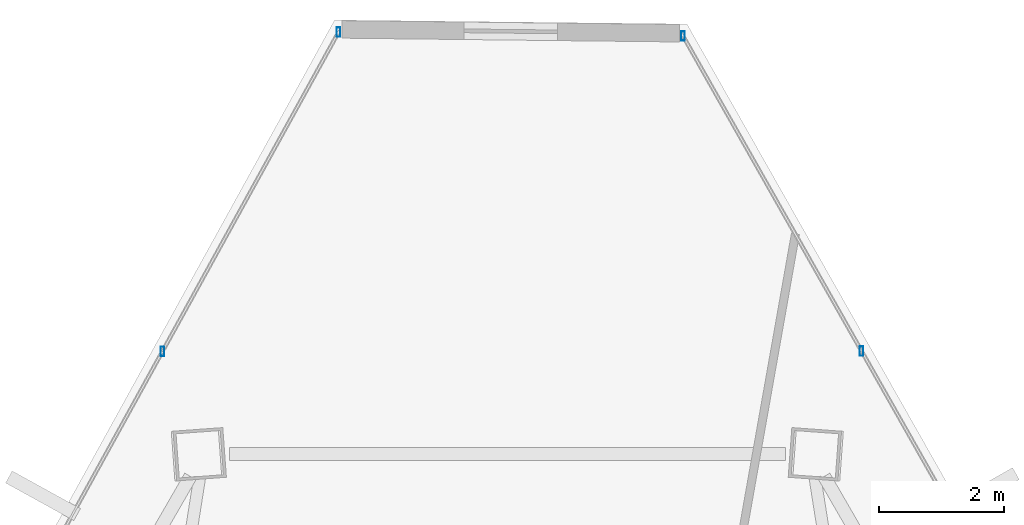
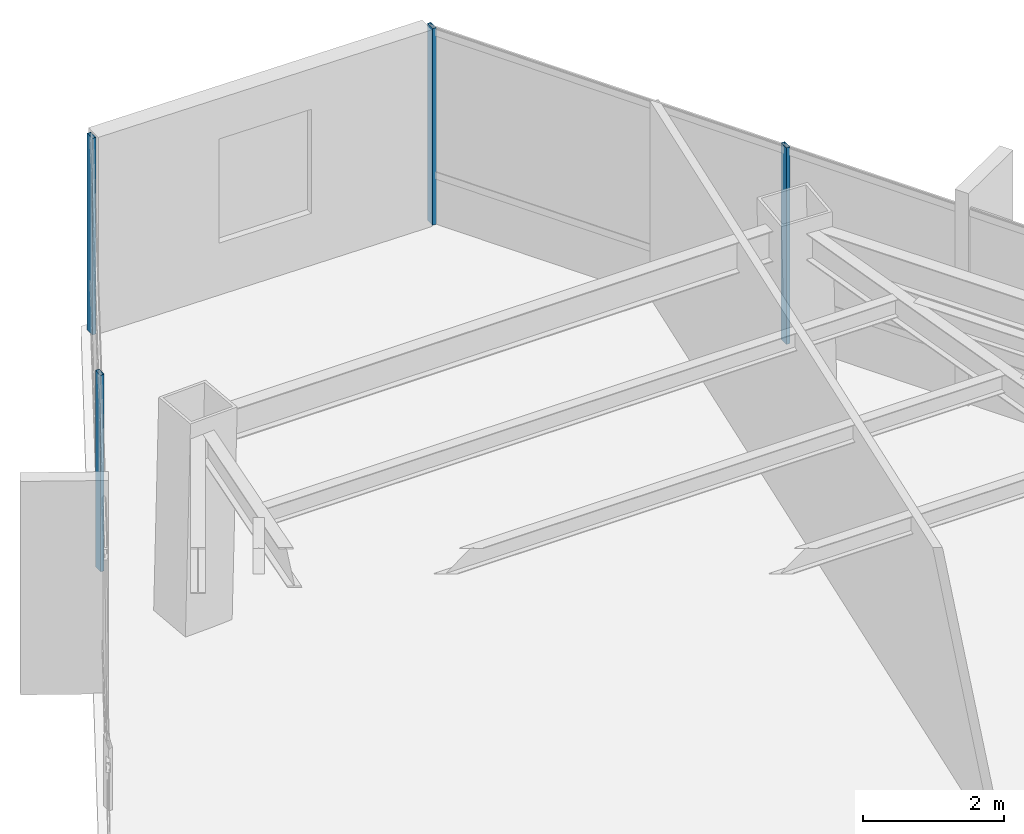
# One storey, part 31 of 41: 4 members, 2 elements without a shape of their own.
"""IFC4 building model written with IfcOpenShell, lengths in metres."""

from ifc_helpers import new_model, si_unit, direction, frame, origin, origin_2d, place, context, subcontext, project, spatial, hollow_rectangle, extrude, source, transform, mapped, material, material_profile, profile_set, type_object, type_shapes, element, aggregate, save


model = new_model("IFC4")

# Units and contexts
model_context = context("Model", 3, precision=1e-05, world=origin(), true_north=direction((0.0, 1.0)))
body_context = subcontext(model_context, "Body", "Model", "MODEL_VIEW")
ifc_project = project(units=[si_unit("LENGTHUNIT", "METRE"), si_unit("AREAUNIT", "SQUARE_METRE"), si_unit("VOLUMEUNIT", "CUBIC_METRE"), si_unit("PLANEANGLEUNIT", "RADIAN"), si_unit("MASSUNIT", "GRAM", prefix="KILO")], contexts=[model_context])

# Site, building, storey
site_placement = place(None, origin())
site = spatial("IfcSite", under=ifc_project, at=site_placement, CompositionType="ELEMENT")
building_placement = place(site_placement, origin())
building = spatial("IfcBuilding", under=site, at=building_placement, Name="Caelisora Broadcast Tower", CompositionType="ELEMENT")
storey_placement = place(building_placement, frame((0.0, 0.0, 209.60009765625)))
storey = spatial("IfcBuildingStorey", under=building, at=storey_placement, Name="L55", CompositionType="ELEMENT", Elevation=209.60009765625)

# Curtain wall, members
ifc_material_1 = material(Name="Unitised Aluminium and Low-E Glass Curtain Wall", Category="glass")
curtain_wall_type = type_object("IfcCurtainWallType", Name="CW-Z4", PredefinedType="NOTDEFINED", material=ifc_material_1)
curtain_wall_1_placement = place(storey_placement, origin())
curtain_wall_1 = element("IfcCurtainWall", 1, at=curtain_wall_1_placement, inside=storey, type_object=curtain_wall_type, Name="L55 curtain wall CW-Z4", PredefinedType="NOTDEFINED")
ifc_material_2 = material(Name="Aluminium 6063-T6 Anodised Terracotta Bronze", Category="aluminium")
ifc_material_profile = material_profile(ifc_material_2, hollow_rectangle(XDim=0.06005859375, YDim=0.14990234375, WallThickness=0.00341796875, at=origin_2d()), Name="Aluminium 6063-T6 Anodised Terracotta Bronze")
ifc_profile_set = profile_set([ifc_material_profile], Name="Aluminium 6063-T6 Anodised Terracotta Bronze")
member_type = type_object("IfcMemberType", Name="CWM-03", PredefinedType="MULLION", material=ifc_profile_set)
shared_shape = source(origin(), body_context, "Body", "SweptSolid", [
    extrude(hollow_rectangle(XDim=0.06005859375, YDim=0.14990234375, WallThickness=0.00341796875, at=origin_2d()), origin(), (0.0, 0.0, 1.0), 3.39990234375),
])
type_shapes(member_type, [shared_shape])
member_1_placement = place(storey_placement, frame((40.819580078125, 53.305419921875, 0.0), z_axis=(0.0, 0.0, 1.0), x_axis=(1.0, 0.0, 0.0)))
member_1 = element("IfcMember", 2, at=member_1_placement, type_object=member_type, Name="L55-CW-B01 mullion #0", PredefinedType="MULLION", context=body_context, shape_type="MappedRepresentation", body=[
    mapped(shared_shape, transform((0.0, 0.0, 0.0), scale=1.0)),
])
member_2_placement = place(storey_placement, frame((43.68408203125, 48.25, 0.0), z_axis=(0.0, 0.0, 1.0), x_axis=(1.0, 0.0, 0.0)))
member_2 = element("IfcMember", 3, at=member_2_placement, type_object=member_type, Name="L55-CW-B01 mullion #1", PredefinedType="MULLION", context=body_context, shape_type="MappedRepresentation", body=[
    mapped(shared_shape, transform((0.0, 0.0, 0.0), scale=1.0)),
])
aggregate(curtain_wall_1, [member_1, member_2])

curtain_wall_2_placement = place(storey_placement, origin())
curtain_wall_2 = element("IfcCurtainWall", 4, at=curtain_wall_2_placement, inside=storey, type_object=curtain_wall_type, Name="L55 curtain wall CW-Z4", PredefinedType="NOTDEFINED")
member_3_placement = place(storey_placement, frame((32.466552734375, 48.24365234375, 0.0), z_axis=(0.0, 0.0, 1.0), x_axis=(1.0, 0.0, 0.0)))
member_3 = element("IfcMember", 5, at=member_3_placement, type_object=member_type, Name="L55-CW-B11 mullion #2", PredefinedType="MULLION", context=body_context, shape_type="MappedRepresentation", body=[
    mapped(shared_shape, transform((0.0, 0.0, 0.0), scale=1.0)),
])
member_4_placement = place(storey_placement, frame((35.292724609375, 53.3671875, 0.0), z_axis=(0.0, 0.0, 1.0), x_axis=(1.0, 0.0, 0.0)))
member_4 = element("IfcMember", 6, at=member_4_placement, type_object=member_type, Name="L55-CW-B11 mullion #3", PredefinedType="MULLION", context=body_context, shape_type="MappedRepresentation", body=[
    mapped(shared_shape, transform((0.0, 0.0, 0.0), scale=1.0)),
])
aggregate(curtain_wall_2, [member_3, member_4])

save(model, "model.ifc")
